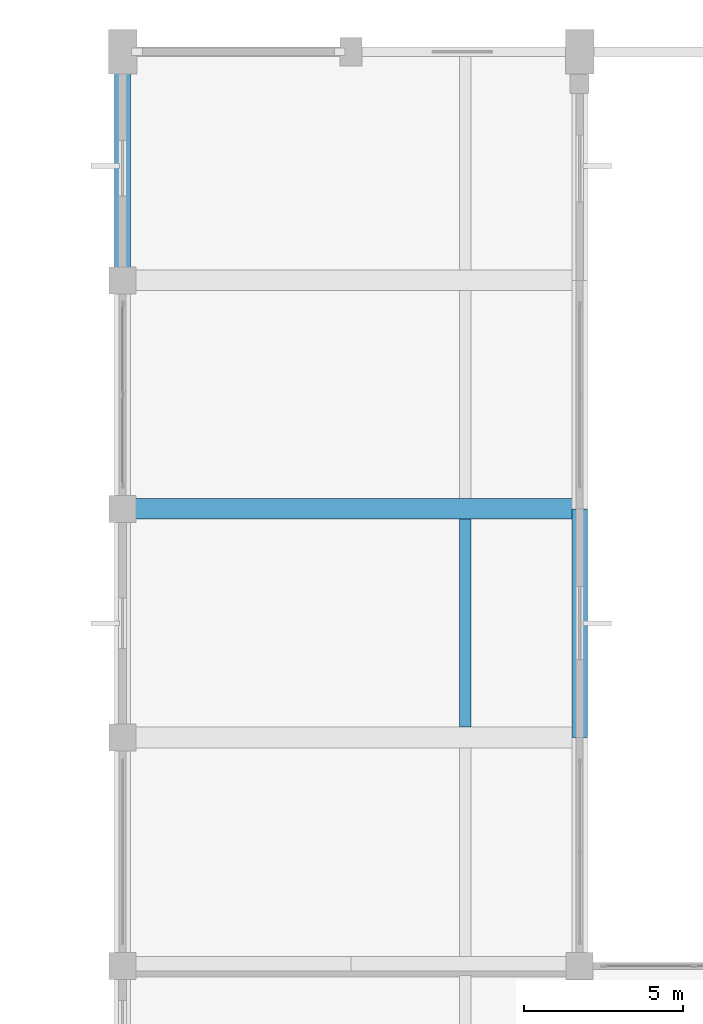
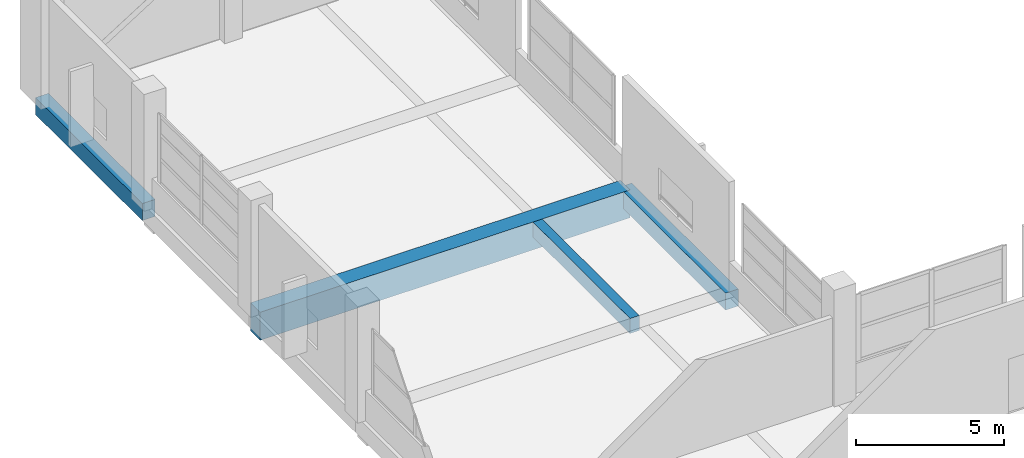
# One storey, part 80 of 181: 4 beams.
"""IFC4 building model written with IfcOpenShell, lengths in metres."""

from ifc_helpers import new_model, si_unit, direction, frame, origin, origin_2d, place, context, subcontext, project, spatial, rectangle, extrude, material, material_profile, profile_set, type_object, element, save


model = new_model("IFC4")

# Units and contexts
model_context = context("Model", 3, precision=1e-05, world=origin(), true_north=direction((0.0, 1.0)))
body_context = subcontext(model_context, "Body", "Model", "MODEL_VIEW")
ifc_project = project(units=[si_unit("LENGTHUNIT", "METRE"), si_unit("AREAUNIT", "SQUARE_METRE"), si_unit("VOLUMEUNIT", "CUBIC_METRE"), si_unit("PLANEANGLEUNIT", "RADIAN"), si_unit("MASSUNIT", "GRAM", prefix="KILO")], contexts=[model_context])

# Site, building, storey
site_placement = place(None, origin())
site = spatial("IfcSite", under=ifc_project, at=site_placement, CompositionType="ELEMENT")
building_placement = place(site_placement, origin())
building = spatial("IfcBuilding", under=site, at=building_placement, Name="Seraya Terrace Polytechnic", CompositionType="ELEMENT")
storey_placement = place(building_placement, frame((0.0, 0.0, 4.800048828125)))
storey = spatial("IfcBuildingStorey", under=building, at=storey_placement, Name="L01", CompositionType="ELEMENT", Elevation=4.800048828125)

# Beams
ifc_material = material(Name="Concrete C40/50", Category="concrete")
ifc_material_profile_1 = material_profile(ifc_material, rectangle(XDim=0.64990234375, YDim=1.14990234375, at=origin_2d()), Name="RC 650x1150")
ifc_profile_set_1 = profile_set([ifc_material_profile_1], Name="Concrete C40/50")
beam_type_1 = type_object("IfcBeamType", Name="BG-02", PredefinedType="USERDEFINED", material=ifc_profile_set_1)
beam_1_placement = place(storey_placement, frame((14.39990234375, 100.800048828125, -0.574951171875), z_axis=(1.0, 0.0, 0.0), x_axis=(0.0, 1.0, 0.0)))
element("IfcBeam", 1, at=beam_1_placement, inside=storey, type_object=beam_type_1, Name="Beam BG-02 L01 X (14.4..28.8, 100.8)", ObjectType="GIRDER", PredefinedType="USERDEFINED", context=body_context, shape_type="SweptSolid", body=[
    extrude(rectangle(XDim=0.64990234375, YDim=1.14990234375, at=origin_2d()), origin(), (0.0, 0.0, 1.0), 14.400146484375),
])
ifc_material_profile_2 = material_profile(ifc_material, rectangle(XDim=0.5, YDim=0.699951171875, at=origin_2d()), Name="RC 500x700")
ifc_profile_set_2 = profile_set([ifc_material_profile_2], Name="Concrete C40/50")
beam_type_2 = type_object("IfcBeamType", Name="BM-07", PredefinedType="BEAM", material=ifc_profile_set_2)
for number, where, z_axis, x_axis, name in (
    (2, (14.39990234375, 108.0, -0.35009765625), (0.0, 1.0, 0.0), (-1.0, 0.0, 0.0), "Beam BM-07 L01 Y (14.4, 108.0..115.2)"),
    (3, (28.800048828125, 93.60009765625, -0.35009765625), (0.0, 1.0, 0.0), (-1.0, 0.0, 0.0), "Beam BM-07 L01 Y (28.8, 93.6..100.8)"),
):
    element("IfcBeam", number, at=place(storey_placement, frame(where, z_axis=z_axis, x_axis=x_axis)), inside=storey, type_object=beam_type_2, Name=name, PredefinedType="BEAM", context=body_context, shape_type="SweptSolid", body=[
        extrude(rectangle(XDim=0.5, YDim=0.699951171875, at=origin_2d()), origin(), (0.0, 0.0, 1.0), 7.199951171875),
    ])
ifc_material_profile_3 = material_profile(ifc_material, rectangle(XDim=0.360107421875, YDim=0.6201171875, at=origin_2d()), Name="RC 360x620")
ifc_profile_set_3 = profile_set([ifc_material_profile_3], Name="Concrete C40/50")
beam_type_3 = type_object("IfcBeamType", Name="JS-01", PredefinedType="JOIST", material=ifc_profile_set_3)
beam_2_placement = place(storey_placement, frame((25.199951171875, 93.925048828125, -0.31005859375), z_axis=(0.0, 1.0, 0.0), x_axis=(-1.0, 0.0, 0.0)))
element("IfcBeam", 4, at=beam_2_placement, inside=storey, type_object=beam_type_3, Name="Secondary joist JS-01 L01", PredefinedType="JOIST", context=body_context, shape_type="SweptSolid", body=[
    extrude(rectangle(XDim=0.360107421875, YDim=0.6201171875, at=origin_2d()), origin(), (0.0, 0.0, 1.0), 6.550048828125),
])

save(model, "model.ifc")
